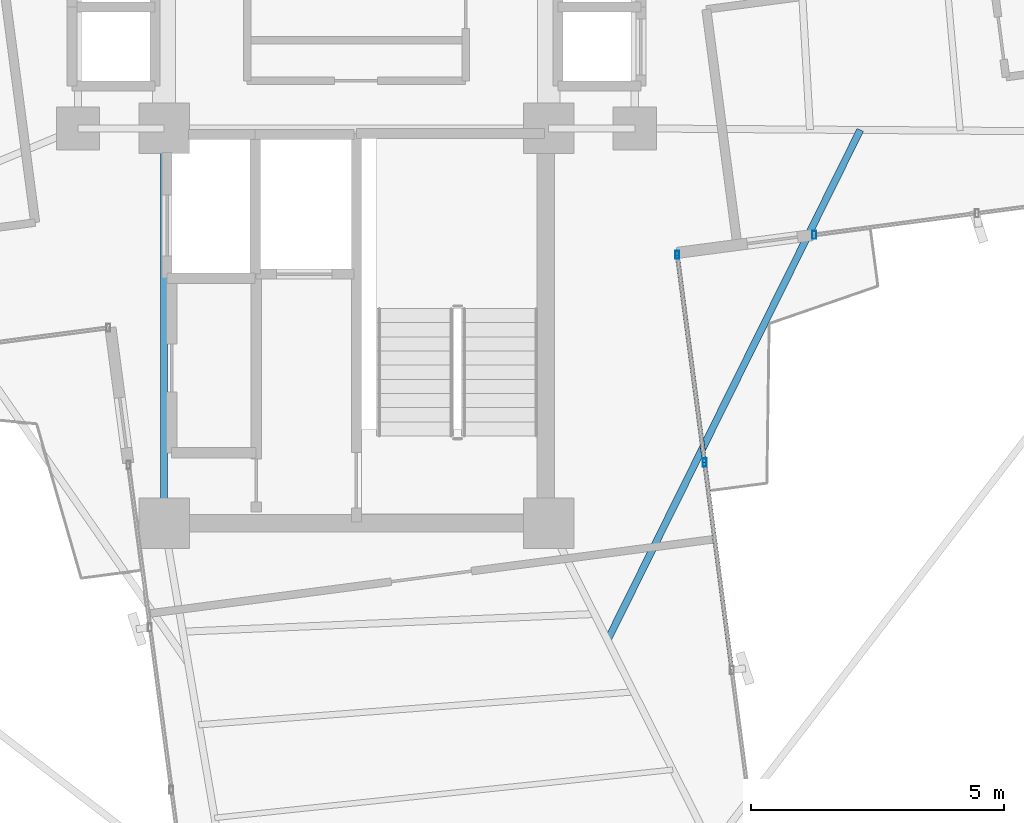
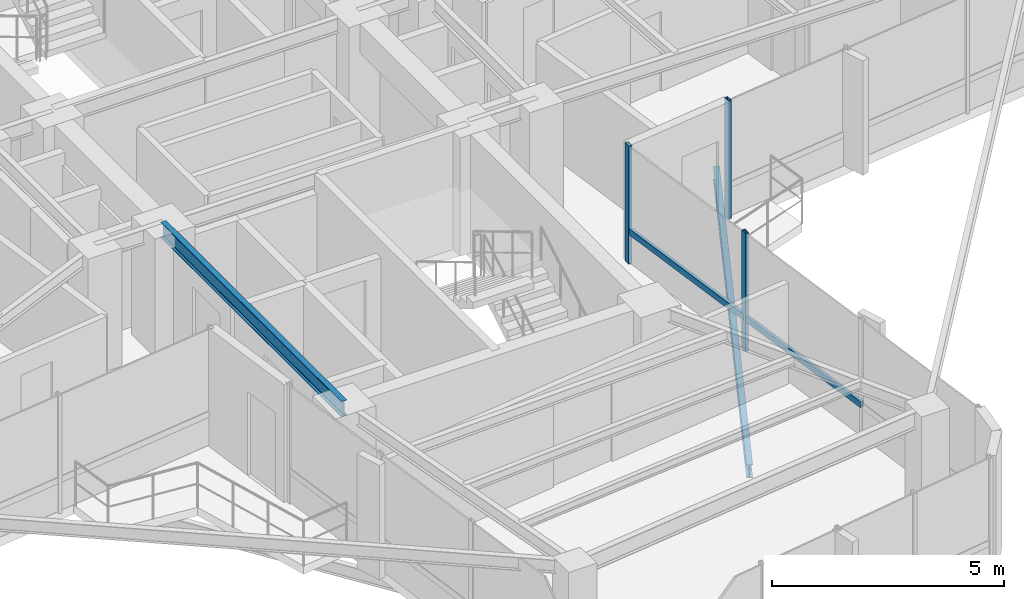
# One storey, part 5 of 21: 5 members, 2 beams, 2 elements without a shape of their own.
"""IFC4 building model written with IfcOpenShell, lengths in metres."""

from ifc_helpers import new_model, si_unit, direction, frame, origin, origin_2d, place, context, subcontext, project, spatial, hollow_rectangle, i_section, extrude, source, transform, mapped, material, material_profile, profile_set, type_object, element, aggregate, save


model = new_model("IFC4")

# Units and contexts
model_context = context("Model", 3, precision=1e-05, world=origin(), true_north=direction((0.0, 1.0)))
body_context = subcontext(model_context, "Body", "Model", "MODEL_VIEW")
ifc_project = project(units=[si_unit("LENGTHUNIT", "METRE"), si_unit("AREAUNIT", "SQUARE_METRE"), si_unit("VOLUMEUNIT", "CUBIC_METRE"), si_unit("PLANEANGLEUNIT", "RADIAN"), si_unit("MASSUNIT", "GRAM", prefix="KILO")], contexts=[model_context])

# Site, building, storey
site_placement = place(None, origin())
site = spatial("IfcSite", under=ifc_project, at=site_placement, CompositionType="ELEMENT")
building_placement = place(site_placement, origin())
building = spatial("IfcBuilding", under=site, at=building_placement, Name="Sahyath Konkavel Grand Hotel", CompositionType="ELEMENT")
storey_placement = place(building_placement, frame((0.0, 0.0, 219.89990234375)))
storey = spatial("IfcBuildingStorey", under=building, at=storey_placement, Name="L61", CompositionType="ELEMENT", Elevation=219.89990234375)

# Beam
ifc_material_1 = material(Name="Steel E350", Category="steel")
ifc_material_profile_1 = material_profile(ifc_material_1, i_section(OverallWidth=0.139892578125, OverallDepth=0.39990234375, WebThickness=0.0087890625, FlangeThickness=0.01611328125, FilletRadius=0.013916015625, at=origin_2d()), Name="ISMB 400")
ifc_profile_set_1 = profile_set([ifc_material_profile_1], Name="Steel E350")
beam_type_1 = type_object("IfcBeamType", Name="BM-ISMB400", PredefinedType="BEAM", material=ifc_profile_set_1)
shared_shape_1 = source(origin(), body_context, "Body", "SweptSolid", [
    extrude(i_section(OverallWidth=0.139892578125, OverallDepth=0.39990234375, WebThickness=0.0087890625, FlangeThickness=0.01611328125, FilletRadius=0.013916015625, at=origin_2d()), origin(), (0.0, 0.0, 1.0), 7.800048828125),
])
beam_1_placement = place(storey_placement, frame((-3.800048828125, -10.199951171875, 2.91015625), z_axis=(0.0, 1.0, 0.0), x_axis=(-1.0, 0.0, 0.0)))
element("IfcBeam", 1, at=beam_1_placement, inside=storey, type_object=beam_type_1, Name="str:bm:L61:SC-W", PredefinedType="BEAM", context=body_context, shape_type="MappedRepresentation", body=[
    mapped(shared_shape_1, transform((0.0, 0.0, 0.0), scale=1.0)),
])

# Curtain wall, member
ifc_material_2 = material(Name="Anodised Bronze Aluminium & Low-E Glazing", Category="aluminium")
curtain_wall_type = type_object("IfcCurtainWallType", Name="CW-ZONE4", PredefinedType="NOTDEFINED", material=ifc_material_2)
curtain_wall_1_placement = place(storey_placement, origin())
curtain_wall_1 = element("IfcCurtainWall", 2, at=curtain_wall_1_placement, inside=storey, type_object=curtain_wall_type, Name="L61 Unitised Curtain Wall F0", PredefinedType="NOTDEFINED")
ifc_material_3 = material(Name="Anodised Bronze Aluminium", Category="aluminium")
ifc_material_profile_2 = material_profile(ifc_material_3, hollow_rectangle(XDim=0.080078125, YDim=0.159912109375, WallThickness=0.006103515625, at=origin_2d()), Name="RHS 160x80x6")
ifc_profile_set_2 = profile_set([ifc_material_profile_2], Name="Anodised Bronze Aluminium")
member_type_1 = type_object("IfcMemberType", Name="CW-MUL-160", PredefinedType="MULLION", material=ifc_profile_set_2)
shared_shape_2 = source(origin(), body_context, "Body", "SweptSolid", [
    extrude(hollow_rectangle(XDim=0.080078125, YDim=0.159912109375, WallThickness=0.006103515625, at=origin_2d()), origin(), (0.0, 0.0, 1.0), 3.110107421875),
])
member_1_placement = place(storey_placement, frame((9.05126953125, -4.503173828125, 0.0), z_axis=(0.0, 0.0, 1.0), x_axis=(1.0, 0.0, 0.0)))
member_1 = element("IfcMember", 3, at=member_1_placement, type_object=member_type_1, Name="L61 Curtain Wall Mullion F0-0", PredefinedType="MULLION", context=body_context, shape_type="MappedRepresentation", body=[
    mapped(shared_shape_2, transform((0.0, 0.0, 0.0), scale=1.0)),
])
aggregate(curtain_wall_1, [member_1])

# Curtain wall, members
curtain_wall_2_placement = place(storey_placement, origin())
curtain_wall_2 = element("IfcCurtainWall", 4, at=curtain_wall_2_placement, inside=storey, type_object=curtain_wall_type, Name="L61 Unitised Curtain Wall F31", PredefinedType="NOTDEFINED")
member_2_placement = place(storey_placement, frame((6.8798828125, -9.001953125, 0.0), z_axis=(0.0, 0.0, 1.0), x_axis=(1.0, 0.0, 0.0)))
member_2 = element("IfcMember", 5, at=member_2_placement, type_object=member_type_1, Name="L61 Curtain Wall Mullion F31-2", PredefinedType="MULLION", context=body_context, shape_type="MappedRepresentation", body=[
    mapped(shared_shape_2, transform((0.0, 0.0, 0.0), scale=1.0)),
])
member_3_placement = place(storey_placement, frame((6.33984375, -4.900390625, 0.0), z_axis=(0.0, 0.0, 1.0), x_axis=(1.0, 0.0, 0.0)))
member_3 = element("IfcMember", 6, at=member_3_placement, type_object=member_type_1, Name="L61 Curtain Wall Mullion F31-3", PredefinedType="MULLION", context=body_context, shape_type="MappedRepresentation", body=[
    mapped(shared_shape_2, transform((0.0, 0.0, 0.0), scale=1.0)),
])

# Beam
ifc_material_profile_3 = material_profile(ifc_material_1, i_section(OverallWidth=0.139892578125, OverallDepth=0.35009765625, WebThickness=0.008056640625, FlangeThickness=0.01416015625, FilletRadius=0.013916015625, at=origin_2d()), Name="ISMB 350")
ifc_profile_set_3 = profile_set([ifc_material_profile_3], Name="Steel E350")
beam_type_2 = type_object("IfcBeamType", Name="BM-BALC-CANT", PredefinedType="BEAM", material=ifc_profile_set_3)
shared_shape_3 = source(origin(), body_context, "Body", "SweptSolid", [
    extrude(i_section(OverallWidth=0.139892578125, OverallDepth=0.35009765625, WebThickness=0.008056640625, FlangeThickness=0.01416015625, FilletRadius=0.013916015625, at=origin_2d()), origin(), (0.0, 0.0, 1.0), 11.25),
])
beam_2_placement = place(storey_placement, frame((4.962890625, -12.512939453125, -0.414794921875), z_axis=(0.443833696027, 0.896109173188, 0.0), x_axis=(-0.896109173188, 0.443833696027, 0.0)))
element("IfcBeam", 7, at=beam_2_placement, inside=storey, type_object=beam_type_2, Name="L61 Balcony Cantilever Support Beam SE", PredefinedType="BEAM", context=body_context, shape_type="MappedRepresentation", body=[
    mapped(shared_shape_3, transform((0.0, 0.0, 0.0), scale=1.0)),
])

# Member
ifc_material_profile_4 = material_profile(ifc_material_3, hollow_rectangle(XDim=0.080078125, YDim=0.159912109375, WallThickness=0.006103515625, at=origin_2d()), Name="RHS 160x80x6")
ifc_profile_set_4 = profile_set([ifc_material_profile_4], Name="Anodised Bronze Aluminium")
member_type_2 = type_object("IfcMemberType", Name="CW-TRN-160", PredefinedType="USERDEFINED", material=ifc_profile_set_4)
shared_shape_4 = source(origin(), body_context, "Body", "SweptSolid", [
    extrude(hollow_rectangle(XDim=0.080078125, YDim=0.159912109375, WallThickness=0.006103515625, at=origin_2d()), origin(), (0.0, 0.0, 1.0), 4.136962890625),
])
member_4_placement = place(storey_placement, frame((7.419921875, -13.103515625, 0.85009765625), z_axis=(-0.130540000708, 0.991443043354, 0.0), x_axis=(-0.991443043354, -0.130540000708, 0.0)))
member_4 = element("IfcMember", 8, at=member_4_placement, type_object=member_type_2, Name="L61 Curtain Wall Transom F31-1-spandrel", ObjectType="TRANSOM", PredefinedType="USERDEFINED", context=body_context, shape_type="MappedRepresentation", body=[
    mapped(shared_shape_4, transform((0.0, 0.0, 0.0), scale=1.0)),
])

member_5_placement = place(storey_placement, frame((6.8798828125, -9.001953125, 0.85009765625), z_axis=(-0.130540000708, 0.991443043354, 0.0), x_axis=(-0.991443043354, -0.130540000708, 0.0)))
member_5 = element("IfcMember", 9, at=member_5_placement, type_object=member_type_2, Name="L61 Curtain Wall Transom F31-2-spandrel", ObjectType="TRANSOM", PredefinedType="USERDEFINED", context=body_context, shape_type="MappedRepresentation", body=[
    mapped(shared_shape_4, transform((0.0, 0.0, 0.0), scale=1.0)),
])

aggregate(curtain_wall_2, [member_2, member_3, member_4, member_5])

save(model, "model.ifc")
